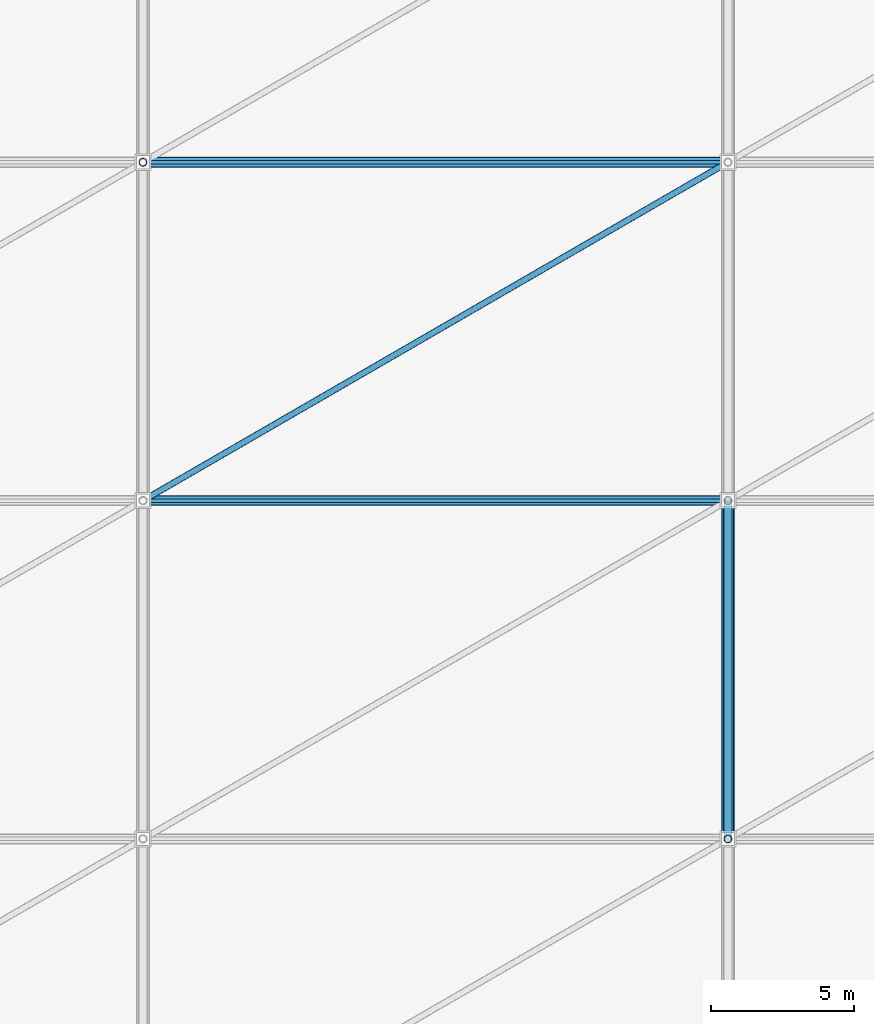
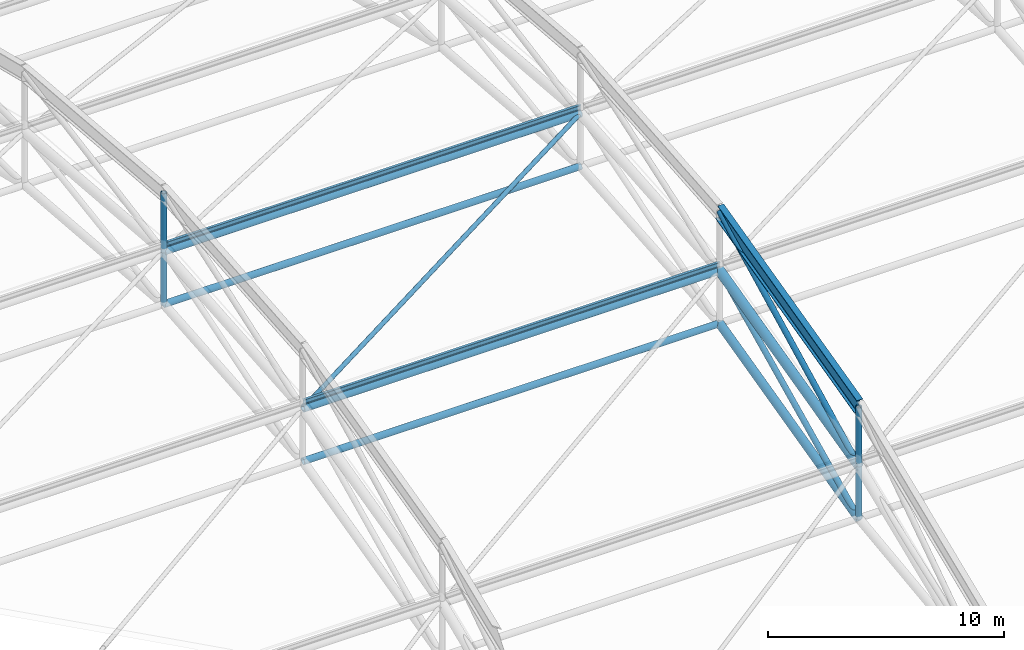
# One storey, part 23 of 135: 15 members, 1 beam.
"""IFC4 building model written with IfcOpenShell, lengths in metres."""

from ifc_helpers import new_model, si_unit, direction, frame, origin, origin_2d, place, context, subcontext, project, spatial, hollow_circle, i_section, extrude, material, material_profile, profile_set, type_object, element, save


model = new_model("IFC4")

# Units and contexts
model_context = context("Model", 3, precision=1e-05, world=origin(), true_north=direction((0.0, 1.0)))
body_context = subcontext(model_context, "Body", "Model", "MODEL_VIEW")
ifc_project = project(units=[si_unit("LENGTHUNIT", "METRE"), si_unit("AREAUNIT", "SQUARE_METRE"), si_unit("VOLUMEUNIT", "CUBIC_METRE"), si_unit("PLANEANGLEUNIT", "RADIAN"), si_unit("MASSUNIT", "GRAM", prefix="KILO")], contexts=[model_context])

# Site, building, storey
site_placement = place(None, origin())
site = spatial("IfcSite", under=ifc_project, at=site_placement, CompositionType="ELEMENT")
building_placement = place(site_placement, origin())
building = spatial("IfcBuilding", under=site, at=building_placement, Name="Brelvane Convention Centre", CompositionType="ELEMENT")
storey_placement = place(building_placement, frame((0.0, 0.0, 15.0)))
storey = spatial("IfcBuildingStorey", under=building, at=storey_placement, Name="L03", CompositionType="ELEMENT", Elevation=15.0)

# Beam
ifc_material_1 = material(Name="Steel E450 (450 MPa)", Category="steel")
ifc_material_profile_1 = material_profile(ifc_material_1, i_section(OverallWidth=0.300048828125, OverallDepth=0.800048828125, WebThickness=0.015380859375, FlangeThickness=0.030029296875, FilletRadius=0.027099609375, at=origin_2d()), Name="NPB 800x300")
ifc_profile_set_1 = profile_set([ifc_material_profile_1], Name="Steel E450 (450 MPa)")
beam_type = type_object("IfcBeamType", Name="Steel Beam B-ST2 (NPB 800x300)", PredefinedType="BEAM", material=ifc_profile_set_1)
beam_placement = place(storey_placement, frame((102.0, 40.60009765625, 10.288818359375), z_axis=(0.0, 0.970462914592, 0.241250350054), x_axis=(-1.0, 0.0, 0.0)))
element("IfcBeam", 1, at=beam_placement, inside=storey, type_object=beam_type, Name="EXO_EXH Exoskeletal Arch Girder 6.2", PredefinedType="BEAM", context=body_context, shape_type="SweptSolid", body=[
    extrude(i_section(OverallWidth=0.300048828125, OverallDepth=0.800048828125, WebThickness=0.015380859375, FlangeThickness=0.030029296875, FilletRadius=0.027099609375, at=origin_2d()), origin(), (0.0, 0.0, 1.0), 12.158935546875),
])

# Members
ifc_material_2 = material(Name="Steel E350 (350 MPa)", Category="steel")
ifc_material_profile_2 = material_profile(ifc_material_2, hollow_circle(Radius=0.136474609375, WallThickness=0.012451171875, at=origin_2d()), Name="CHS 273.0x12.5")
ifc_profile_set_2 = profile_set([ifc_material_profile_2], Name="Steel E350 (350 MPa)")
member_type_1 = type_object("IfcMemberType", Name="Steel Brace SF-DG1 (CHS 273.0x12.5)", PredefinedType="BRACE", material=ifc_profile_set_2)
member_1_placement = place(storey_placement, frame((102.0, 40.60009765625, 4.489013671875), z_axis=(0.0, 0.901249063661, 0.433301425397), x_axis=(-1.0, 0.0, 0.0)))
element("IfcMember", 2, at=member_1_placement, inside=storey, type_object=member_type_1, Name="SF_EXH Space-Frame Web Diagonal D6.2", PredefinedType="BRACE", context=body_context, shape_type="SweptSolid", body=[
    extrude(hollow_circle(Radius=0.136474609375, WallThickness=0.012451171875, at=origin_2d()), origin(), (0.0, 0.0, 1.0), 13.0927734375),
])
member_2_placement = place(storey_placement, frame((102.0, 40.60009765625, 7.22900390625), z_axis=(0.0, 0.891590690557, 0.45284218058), x_axis=(-1.0, 0.0, 0.0)))
element("IfcMember", 3, at=member_2_placement, inside=storey, type_object=member_type_1, Name="EXO_EXH Exoskeletal Arch Web 6.2", PredefinedType="BRACE", context=body_context, shape_type="SweptSolid", body=[
    extrude(hollow_circle(Radius=0.136474609375, WallThickness=0.012451171875, at=origin_2d()), origin(), (0.0, 0.0, 1.0), 13.234619140625),
])
ifc_material_3 = material(Name="Steel E350 (350 MPa)", Category="steel")
ifc_material_profile_3 = material_profile(ifc_material_3, hollow_circle(Radius=0.109619140625, WallThickness=0.010009765625, at=origin_2d()), Name="CHS 219.1x10.0")
ifc_profile_set_3 = profile_set([ifc_material_profile_3], Name="Steel E350 (350 MPa)")
member_type_2 = type_object("IfcMemberType", Name="Steel Brace SF-DG2 (CHS 219.1x10.0)", PredefinedType="BRACE", material=ifc_profile_set_3)
member_3_placement = place(storey_placement, frame((81.60009765625, 52.39990234375, 10.162109375), z_axis=(0.864873882245, 0.500274651745, 0.041454078585), x_axis=(-0.500705052683, 0.865617958581, 0.0)))
element("IfcMember", 4, at=member_3_placement, inside=storey, type_object=member_type_2, Name="SF_EXH Roof Diaphragm Brace PB5.3", PredefinedType="BRACE", context=body_context, shape_type="SweptSolid", body=[
    extrude(hollow_circle(Radius=0.109619140625, WallThickness=0.010009765625, at=origin_2d()), origin(), (0.0, 0.0, 1.0), 23.587158203125),
])
ifc_material_4 = material(Name="Steel E450 (450 MPa)", Category="steel")
ifc_material_profile_4 = material_profile(ifc_material_4, hollow_circle(Radius=0.203125, WallThickness=0.01611328125, at=origin_2d()), Name="CHS 406.4x16.0")
ifc_profile_set_4 = profile_set([ifc_material_profile_4], Name="Steel E450 (450 MPa)")
member_type_3 = type_object("IfcMemberType", Name="Steel Chord SF-BC1 (CHS 406.4x16.0)", PredefinedType="CHORD", material=ifc_profile_set_4)
member_4_placement = place(storey_placement, frame((102.0, 40.60009765625, 4.489013671875), z_axis=(0.0, 0.97046761544, 0.241231439458), x_axis=(-1.0, 0.0, 0.0)))
element("IfcMember", 5, at=member_4_placement, inside=storey, type_object=member_type_3, Name="SF_EXH Space-Frame Bottom Chord B6.2", PredefinedType="CHORD", context=body_context, shape_type="SweptSolid", body=[
    extrude(hollow_circle(Radius=0.203125, WallThickness=0.01611328125, at=origin_2d()), origin(), (0.0, 0.0, 1.0), 12.158935546875),
])
ifc_material_5 = material(Name="Steel E350 (350 MPa)", Category="steel")
ifc_material_profile_5 = material_profile(ifc_material_5, hollow_circle(Radius=0.161865234375, WallThickness=0.012451171875, at=origin_2d()), Name="CHS 323.9x12.5")
ifc_profile_set_5 = profile_set([ifc_material_profile_5], Name="Steel E350 (350 MPa)")
member_type_4 = type_object("IfcMemberType", Name="Steel Chord SF-BC2 (CHS 323.9x12.5)", PredefinedType="CHORD", material=ifc_profile_set_5)
for number, where, z_axis, x_axis, name in (
    (6, (81.60009765625, 52.39990234375, 7.422119140625), (1.0, 0.0, 0.0), (0.0, 1.0, 0.0), "SF_EXH Longitudinal Bottom Chord LB5.3"),
    (7, (81.60009765625, 64.199951171875, 8.39990234375), (1.0, 0.0, 0.0), (0.0, 1.0, 0.0), "SF_EXH Longitudinal Bottom Chord LB5.4"),
):
    element("IfcMember", number, at=place(storey_placement, frame(where, z_axis=z_axis, x_axis=x_axis)), inside=storey, type_object=member_type_4, Name=name, PredefinedType="CHORD", context=body_context, shape_type="SweptSolid", body=[
        extrude(hollow_circle(Radius=0.161865234375, WallThickness=0.012451171875, at=origin_2d()), origin(), (0.0, 0.0, 1.0), 20.39990234375),
    ])
ifc_material_6 = material(Name="Steel E450 (450 MPa)", Category="steel")
ifc_material_profile_6 = material_profile(ifc_material_6, hollow_circle(Radius=0.228515625, WallThickness=0.02001953125, at=origin_2d()), Name="CHS 457.0x20.0")
ifc_profile_set_6 = profile_set([ifc_material_profile_6], Name="Steel E450 (450 MPa)")
member_type_5 = type_object("IfcMemberType", Name="Steel Chord SF-TC1 (CHS 457.0x20.0)", PredefinedType="CHORD", material=ifc_profile_set_6)
member_5_placement = place(storey_placement, frame((102.0, 40.60009765625, 7.22900390625), z_axis=(0.0, 0.97046761544, 0.241231439458), x_axis=(-1.0, 0.0, 0.0)))
element("IfcMember", 8, at=member_5_placement, inside=storey, type_object=member_type_5, Name="SF_EXH Space-Frame Top Chord T6.2", PredefinedType="CHORD", context=body_context, shape_type="SweptSolid", body=[
    extrude(hollow_circle(Radius=0.228515625, WallThickness=0.02001953125, at=origin_2d()), origin(), (0.0, 0.0, 1.0), 12.158935546875),
])
ifc_material_7 = material(Name="Steel E450 (450 MPa)", Category="steel")
ifc_material_profile_7 = material_profile(ifc_material_7, hollow_circle(Radius=0.177734375, WallThickness=0.01611328125, at=origin_2d()), Name="CHS 355.6x16.0")
ifc_profile_set_7 = profile_set([ifc_material_profile_7], Name="Steel E450 (450 MPa)")
member_type_6 = type_object("IfcMemberType", Name="Steel Chord SF-TC2 (CHS 355.6x16.0)", PredefinedType="CHORD", material=ifc_profile_set_7)
for number, where, z_axis, x_axis, name in (
    (9, (81.60009765625, 52.39990234375, 10.162109375), (1.0, 0.0, 0.0), (0.0, 1.0, 0.0), "SF_EXH Longitudinal Top Chord LT5.3"),
    (10, (81.60009765625, 64.199951171875, 11.139892578125), (1.0, 0.0, 0.0), (0.0, 1.0, 0.0), "SF_EXH Longitudinal Top Chord LT5.4"),
):
    element("IfcMember", number, at=place(storey_placement, frame(where, z_axis=z_axis, x_axis=x_axis)), inside=storey, type_object=member_type_6, Name=name, PredefinedType="CHORD", context=body_context, shape_type="SweptSolid", body=[
        extrude(hollow_circle(Radius=0.177734375, WallThickness=0.01611328125, at=origin_2d()), origin(), (0.0, 0.0, 1.0), 20.39990234375),
    ])
ifc_material_8 = material(Name="Steel E350 (350 MPa)", Category="steel")
ifc_material_profile_8 = material_profile(ifc_material_8, i_section(OverallWidth=0.125, OverallDepth=0.25, WebThickness=0.0068359375, FlangeThickness=0.012451171875, FilletRadius=0.012939453125, at=origin_2d()), Name="ISMB 250")
ifc_profile_set_8 = profile_set([ifc_material_profile_8], Name="Steel E350 (350 MPa)")
member_type_7 = type_object("IfcMemberType", Name="Steel Purlin PR-ST1 (ISMB 250)", PredefinedType="PURLIN", material=ifc_profile_set_8)
for number, where, z_axis, x_axis, name in (
    (11, (81.60009765625, 52.39990234375, 10.497314453125), (1.0, 0.0, 0.0), (0.0, 1.0, 0.0), "SF_EXH Roof Purlin P5.3"),
    (12, (81.60009765625, 64.199951171875, 11.47509765625), (1.0, 0.0, 0.0), (0.0, 1.0, 0.0), "SF_EXH Roof Purlin P5.4"),
):
    element("IfcMember", number, at=place(storey_placement, frame(where, z_axis=z_axis, x_axis=x_axis)), inside=storey, type_object=member_type_7, Name=name, PredefinedType="PURLIN", context=body_context, shape_type="SweptSolid", body=[
        extrude(i_section(OverallWidth=0.125, OverallDepth=0.25, WebThickness=0.0068359375, FlangeThickness=0.012451171875, FilletRadius=0.012939453125, at=origin_2d()), origin(), (0.0, 0.0, 1.0), 20.39990234375),
    ])
ifc_material_9 = material(Name="Steel E350 (350 MPa)", Category="steel")
ifc_material_profile_9 = material_profile(ifc_material_9, hollow_circle(Radius=0.136474609375, WallThickness=0.012451171875, at=origin_2d()), Name="CHS 273.0x12.5")
ifc_profile_set_9 = profile_set([ifc_material_profile_9], Name="Steel E350 (350 MPa)")
member_type_8 = type_object("IfcMemberType", Name="Steel Strut SF-VT1 (CHS 273.0x12.5)", PredefinedType="STRUT", material=ifc_profile_set_9)
for number, where, z_axis, x_axis, name in (
    (13, (81.60009765625, 64.199951171875, 8.39990234375), (0.0, 0.0, 1.0), (1.0, 0.0, 0.0), "SF_EXH Space-Frame Post V5.3"),
    (14, (102.0, 40.60009765625, 4.489013671875), (0.0, 0.0, 1.0), (1.0, 0.0, 0.0), "SF_EXH Space-Frame Post V6.1"),
):
    element("IfcMember", number, at=place(storey_placement, frame(where, z_axis=z_axis, x_axis=x_axis)), inside=storey, type_object=member_type_8, Name=name, PredefinedType="STRUT", context=body_context, shape_type="SweptSolid", body=[
        extrude(hollow_circle(Radius=0.136474609375, WallThickness=0.012451171875, at=origin_2d()), origin(), (0.0, 0.0, 1.0), 2.739990234375),
    ])
member_6_placement = place(storey_placement, frame((81.60009765625, 64.199951171875, 11.139892578125), z_axis=(0.0, 0.0, 1.0), x_axis=(1.0, 0.0, 0.0)))
element("IfcMember", 15, at=member_6_placement, inside=storey, type_object=member_type_8, Name="EXO_EXH Roof Suspension Hanger 5.3", PredefinedType="STRUT", context=body_context, shape_type="SweptSolid", body=[
    extrude(hollow_circle(Radius=0.136474609375, WallThickness=0.012451171875, at=origin_2d()), origin(), (0.0, 0.0, 1.0), 3.06005859375),
])
member_7_placement = place(storey_placement, frame((102.0, 40.60009765625, 7.22900390625), z_axis=(0.0, 0.0, 1.0), x_axis=(1.0, 0.0, 0.0)))
element("IfcMember", 16, at=member_7_placement, inside=storey, type_object=member_type_8, Name="EXO_EXH Roof Suspension Hanger 6.1", PredefinedType="STRUT", context=body_context, shape_type="SweptSolid", body=[
    extrude(hollow_circle(Radius=0.136474609375, WallThickness=0.012451171875, at=origin_2d()), origin(), (0.0, 0.0, 1.0), 3.059814453125),
])

save(model, "model.ifc")
